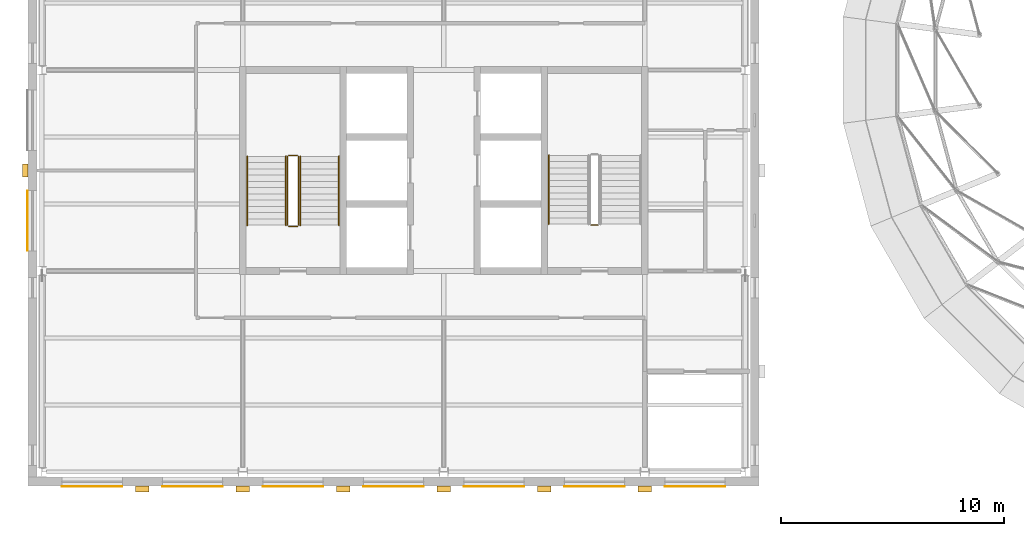
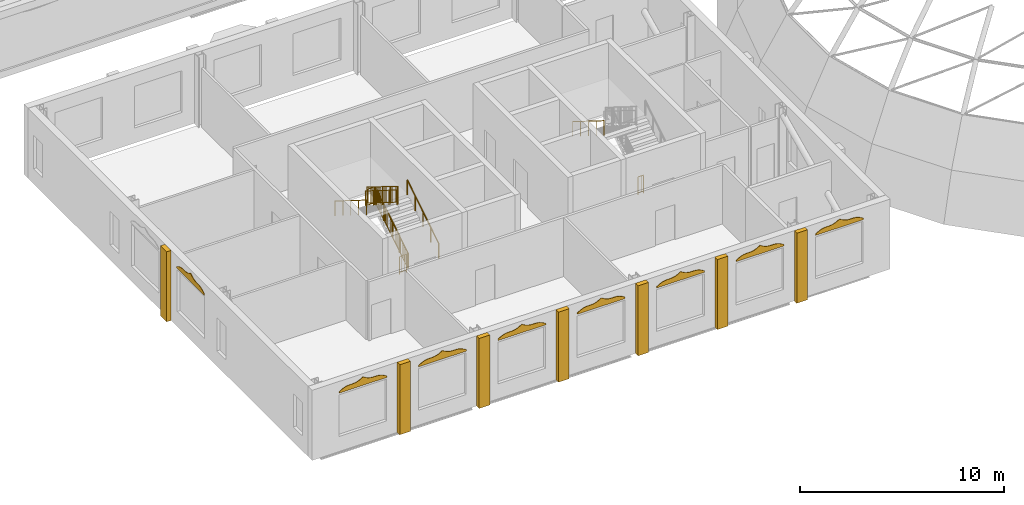
# One storey, part 58 of 62: 15 coverings, 10 railings.
"""IFC4 building model written with IfcOpenShell, lengths in metres."""

from ifc_helpers import new_model, si_unit, direction, frame, origin, origin_2d, place, context, subcontext, project, spatial, polyline, rectangle, circle, outline, extrude, material, layer, layer_set, type_object, element, save


model = new_model("IFC4")

# Units and contexts
model_context = context("Model", 3, precision=1e-05, world=origin(), true_north=direction((0.0, 1.0)))
body_context = subcontext(model_context, "Body", "Model", "MODEL_VIEW")
ifc_project = project(units=[si_unit("LENGTHUNIT", "METRE"), si_unit("AREAUNIT", "SQUARE_METRE"), si_unit("VOLUMEUNIT", "CUBIC_METRE"), si_unit("PLANEANGLEUNIT", "RADIAN"), si_unit("MASSUNIT", "GRAM", prefix="KILO")], contexts=[model_context])

# Site, building, storey
site_placement = place(None, origin())
site = spatial("IfcSite", under=ifc_project, at=site_placement, CompositionType="ELEMENT")
building_placement = place(site_placement, origin())
building = spatial("IfcBuilding", under=site, at=building_placement, Name="Hortulan Conservatory and Botanical Research Centre", CompositionType="ELEMENT")
storey_placement = place(building_placement, frame((0.0, 0.0, 15.0)))
storey = spatial("IfcBuildingStorey", under=building, at=storey_placement, Name="L03", CompositionType="ELEMENT", Elevation=15.0)

# Coverings
ifc_material_1 = material(Name="Faience cladding, cream glaze (non-combustible)", Category="ceramic")
ifc_layer_1 = layer(ifc_material_1, 0.030029296875)
ifc_layer_set_1 = layer_set([ifc_layer_1], Name="Faience Ogee Head Panel Cream 2700x500")
covering_type_1 = type_object("IfcCoveringType", Name="Faience Ogee Head Panel Cream 2700x500", PredefinedType="CLADDING", material=ifc_layer_set_1)
for number, where, z_axis, x_axis, name in (
    (1, (8.10009765625, -0.65087890625, 3.52001953125), (0.0, 0.0, 1.0), (-1.0, 0.0, 0.0), "Ogee head panel"),
    (2, (12.60009765625, -0.65087890625, 3.52001953125), (0.0, 0.0, 1.0), (-1.0, 0.0, 0.0), "Ogee head panel"),
    (3, (-0.639892578125, 9.89990234375, 3.52001953125), (0.0, 0.0, 1.0), (0.0, 1.0, 0.0), "Ogee head panel"),
):
    element("IfcCovering", number, at=place(storey_placement, frame(where, z_axis=z_axis, x_axis=x_axis)), inside=storey, type_object=covering_type_1, Name=name, PredefinedType="CLADDING", context=body_context, shape_type="SweptSolid", body=[
        extrude(outline(polyline([(0.0, 0.0), (2.699951171875, 0.0), (2.699951171875, 0.080078125), (2.58740234375, 0.148681640625), (2.47509765625, 0.208251953125), (2.362548828125, 0.252197265625), (2.25, 0.278076171875), (2.137451171875, 0.28857421875), (2.02490234375, 0.2900390625), (1.91259765625, 0.291259765625), (1.800048828125, 0.3017578125), (1.6875, 0.327880859375), (1.574951171875, 0.371826171875), (1.46240234375, 0.431396484375), (1.35009765625, 0.5), (1.237548828125, 0.431396484375), (1.125, 0.371826171875), (1.012451171875, 0.327880859375), (0.89990234375, 0.3017578125), (0.78759765625, 0.291259765625), (0.675048828125, 0.2900390625), (0.5625, 0.28857421875), (0.449951171875, 0.278076171875), (0.33740234375, 0.252197265625), (0.22509765625, 0.208251953125), (0.112548828125, 0.148681640625), (0.0, 0.080078125), (0.0, 0.0)])), frame((0.0, 0.01513671875, 0.0), z_axis=(0.0, -1.0, 0.0), x_axis=(1.0, 0.0, 0.0)), (0.0, 0.0, 1.0), 0.030029296875),
    ])
ifc_material_2 = material(Name="Faience cladding, waratah crimson glaze (non-combustible)", Category="ceramic")
ifc_layer_2 = layer(ifc_material_2, 0.030029296875)
ifc_layer_set_2 = layer_set([ifc_layer_2], Name="Faience Ogee Head Panel Crimson 2700x500")
covering_type_2 = type_object("IfcCoveringType", Name="Faience Ogee Head Panel Crimson 2700x500", PredefinedType="CLADDING", material=ifc_layer_set_2)
for number, where, z_axis, x_axis, name in (
    (4, (17.10009765625, -0.65087890625, 3.52001953125), (0.0, 0.0, 1.0), (-1.0, 0.0, 0.0), "Ogee head panel"),
    (5, (21.60009765625, -0.65087890625, 3.52001953125), (0.0, 0.0, 1.0), (-1.0, 0.0, 0.0), "Ogee head panel"),
):
    element("IfcCovering", number, at=place(storey_placement, frame(where, z_axis=z_axis, x_axis=x_axis)), inside=storey, type_object=covering_type_2, Name=name, PredefinedType="CLADDING", context=body_context, shape_type="SweptSolid", body=[
        extrude(outline(polyline([(0.0, 0.0), (2.699951171875, 0.0), (2.699951171875, 0.080078125), (2.58740234375, 0.148681640625), (2.47509765625, 0.208251953125), (2.362548828125, 0.252197265625), (2.25, 0.278076171875), (2.137451171875, 0.28857421875), (2.02490234375, 0.2900390625), (1.91259765625, 0.291259765625), (1.800048828125, 0.3017578125), (1.6875, 0.327880859375), (1.574951171875, 0.371826171875), (1.46240234375, 0.431396484375), (1.35009765625, 0.5), (1.237548828125, 0.431396484375), (1.125, 0.371826171875), (1.012451171875, 0.327880859375), (0.89990234375, 0.3017578125), (0.78759765625, 0.291259765625), (0.675048828125, 0.2900390625), (0.5625, 0.28857421875), (0.449951171875, 0.278076171875), (0.33740234375, 0.252197265625), (0.22509765625, 0.208251953125), (0.112548828125, 0.148681640625), (0.0, 0.080078125), (0.0, 0.0)])), frame((0.0, 0.01513671875, 0.0), z_axis=(0.0, -1.0, 0.0), x_axis=(1.0, 0.0, 0.0)), (0.0, 0.0, 1.0), 0.030029296875),
    ])
ifc_material_3 = material(Name="Faience cladding, harbour teal glaze (non-combustible)", Category="ceramic")
ifc_layer_3 = layer(ifc_material_3, 0.030029296875)
ifc_layer_set_3 = layer_set([ifc_layer_3], Name="Faience Ogee Head Panel Teal 2700x500")
covering_type_3 = type_object("IfcCoveringType", Name="Faience Ogee Head Panel Teal 2700x500", PredefinedType="CLADDING", material=ifc_layer_set_3)
for number, where, z_axis, x_axis, name in (
    (6, (3.60009765625, -0.65087890625, 3.52001953125), (0.0, 0.0, 1.0), (-1.0, 0.0, 0.0), "Ogee head panel"),
    (7, (26.10009765625, -0.65087890625, 3.52001953125), (0.0, 0.0, 1.0), (-1.0, 0.0, 0.0), "Ogee head panel"),
    (8, (30.60009765625, -0.65087890625, 3.52001953125), (0.0, 0.0, 1.0), (-1.0, 0.0, 0.0), "Ogee head panel"),
):
    element("IfcCovering", number, at=place(storey_placement, frame(where, z_axis=z_axis, x_axis=x_axis)), inside=storey, type_object=covering_type_3, Name=name, PredefinedType="CLADDING", context=body_context, shape_type="SweptSolid", body=[
        extrude(outline(polyline([(0.0, 0.0), (2.699951171875, 0.0), (2.699951171875, 0.080078125), (2.58740234375, 0.148681640625), (2.47509765625, 0.208251953125), (2.362548828125, 0.252197265625), (2.25, 0.278076171875), (2.137451171875, 0.28857421875), (2.02490234375, 0.2900390625), (1.91259765625, 0.291259765625), (1.800048828125, 0.3017578125), (1.6875, 0.327880859375), (1.574951171875, 0.371826171875), (1.46240234375, 0.431396484375), (1.35009765625, 0.5), (1.237548828125, 0.431396484375), (1.125, 0.371826171875), (1.012451171875, 0.327880859375), (0.89990234375, 0.3017578125), (0.78759765625, 0.291259765625), (0.675048828125, 0.2900390625), (0.5625, 0.28857421875), (0.449951171875, 0.278076171875), (0.33740234375, 0.252197265625), (0.22509765625, 0.208251953125), (0.112548828125, 0.148681640625), (0.0, 0.080078125), (0.0, 0.0)])), frame((0.0, 0.01513671875, 0.0), z_axis=(0.0, -1.0, 0.0), x_axis=(1.0, 0.0, 0.0)), (0.0, 0.0, 1.0), 0.030029296875),
    ])
ifc_layer_4 = layer(ifc_material_1, 0.25)
ifc_layer_set_4 = layer_set([ifc_layer_4], Name="Faience Pilaster 600x250")
covering_type_4 = type_object("IfcCoveringType", Name="Faience Pilaster 600x250", PredefinedType="CLADDING", material=ifc_layer_set_4)
for number, where, z_axis, x_axis, name in (
    (9, (27.0, -0.760986328125, 0.0), (0.0, 0.0, 1.0), (-1.0, 0.0, 0.0), "Pier"),
    (10, (22.5, -0.760986328125, 0.0), (0.0, 0.0, 1.0), (-1.0, 0.0, 0.0), "Pier"),
    (11, (18.0, -0.760986328125, 0.0), (0.0, 0.0, 1.0), (-1.0, 0.0, 0.0), "Pier"),
    (12, (13.5, -0.760986328125, 0.0), (0.0, 0.0, 1.0), (-1.0, 0.0, 0.0), "Pier"),
    (13, (9.0, -0.760986328125, 0.0), (0.0, 0.0, 1.0), (-1.0, 0.0, 0.0), "Pier"),
    (14, (4.5, -0.760986328125, 0.0), (0.0, 0.0, 1.0), (-1.0, 0.0, 0.0), "Pier"),
    (15, (-0.75, 13.5, 0.0), (0.0, 0.0, 1.0), (0.0, 1.0, 0.0), "Pier"),
):
    element("IfcCovering", number, at=place(storey_placement, frame(where, z_axis=z_axis, x_axis=x_axis)), inside=storey, type_object=covering_type_4, Name=name, PredefinedType="CLADDING", context=body_context, shape_type="SweptSolid", body=[
        extrude(rectangle(XDim=0.60009765625, YDim=0.25, at=origin_2d()), origin(), (0.0, 0.0, 1.0), 4.199951171875),
    ])

# Railings
ifc_material_4 = material(Name="Steel balustrade, bronze-charcoal paint", Category="steel")
railing_type_1 = type_object("IfcRailingType", Name="Stair Guard 1100", PredefinedType="GUARDRAIL", material=ifc_material_4)
railing_1_placement = place(storey_placement, frame((11.5, 11.050048828125, 0.175048828125)))
element("IfcRailing", 16, at=railing_1_placement, inside=storey, type_object=railing_type_1, Name="Guard T1 L03 stair 1", PredefinedType="GUARDRAIL", context=body_context, shape_type="SweptSolid", body=[
    extrude(circle(Radius=0.02392578125, at=origin_2d()), frame((0.0, 0.0, 1.076171875), z_axis=(0.0, 0.847979421464, 0.530029150871), x_axis=(-1.0, 0.0, 0.0)), (0.0, 0.0, 1.0), 3.632080078125),
    extrude(circle(Radius=0.02392578125, at=origin_2d()), frame((0.0, 0.0, 0.1240234375), z_axis=(0.0, 0.847979421464, 0.530029150871), x_axis=(-1.0, 0.0, 0.0)), (0.0, 0.0, 1.0), 3.632080078125),
    extrude(circle(Radius=0.008056640625, at=origin_2d()), frame((0.0, 0.090576171875, 0.204833984375)), (0.0, 0.0, 1.0), 0.90380859375),
    extrude(circle(Radius=0.008056640625, at=origin_2d()), frame((0.0, 0.18115234375, 0.261474609375)), (0.0, 0.0, 1.0), 0.90380859375),
    extrude(circle(Radius=0.008056640625, at=origin_2d()), frame((0.0, 0.271728515625, 0.318115234375)), (0.0, 0.0, 1.0), 0.90380859375),
    extrude(circle(Radius=0.008056640625, at=origin_2d()), frame((0.0, 0.3623046875, 0.374755859375)), (0.0, 0.0, 1.0), 0.90380859375),
    extrude(circle(Radius=0.008056640625, at=origin_2d()), frame((0.0, 0.452880859375, 0.431396484375)), (0.0, 0.0, 1.0), 0.90380859375),
    extrude(circle(Radius=0.008056640625, at=origin_2d()), frame((0.0, 0.54345703125, 0.48779296875)), (0.0, 0.0, 1.0), 0.90380859375),
    extrude(circle(Radius=0.008056640625, at=origin_2d()), frame((0.0, 0.634033203125, 0.54443359375)), (0.0, 0.0, 1.0), 0.90380859375),
    extrude(circle(Radius=0.008056640625, at=origin_2d()), frame((0.0, 0.724609375, 0.60107421875)), (0.0, 0.0, 1.0), 0.90380859375),
    extrude(circle(Radius=0.008056640625, at=origin_2d()), frame((0.0, 0.815185546875, 0.65771484375)), (0.0, 0.0, 1.0), 0.90380859375),
    extrude(circle(Radius=0.008056640625, at=origin_2d()), frame((0.0, 0.90576171875, 0.71435546875)), (0.0, 0.0, 1.0), 0.90380859375),
    extrude(circle(Radius=0.008056640625, at=origin_2d()), frame((0.0, 0.996337890625, 0.77099609375)), (0.0, 0.0, 1.0), 0.90380859375),
    extrude(circle(Radius=0.008056640625, at=origin_2d()), frame((0.0, 1.0869140625, 0.82763671875)), (0.0, 0.0, 1.0), 0.90380859375),
    extrude(circle(Radius=0.008056640625, at=origin_2d()), frame((0.0, 1.177490234375, 0.88427734375)), (0.0, 0.0, 1.0), 0.90380859375),
    extrude(circle(Radius=0.008056640625, at=origin_2d()), frame((0.0, 1.26806640625, 0.94091796875)), (0.0, 0.0, 1.0), 0.90380859375),
    extrude(circle(Radius=0.008056640625, at=origin_2d()), frame((0.0, 1.358642578125, 0.99755859375)), (0.0, 0.0, 1.0), 0.90380859375),
    extrude(circle(Radius=0.008056640625, at=origin_2d()), frame((0.0, 1.44921875, 1.05419921875)), (0.0, 0.0, 1.0), 0.90380859375),
    extrude(circle(Radius=0.008056640625, at=origin_2d()), frame((0.0, 1.5400390625, 1.11083984375)), (0.0, 0.0, 1.0), 0.90380859375),
    extrude(circle(Radius=0.008056640625, at=origin_2d()), frame((0.0, 1.630615234375, 1.167236328125)), (0.0, 0.0, 1.0), 0.90380859375),
    extrude(circle(Radius=0.008056640625, at=origin_2d()), frame((0.0, 1.72119140625, 1.223876953125)), (0.0, 0.0, 1.0), 0.90380859375),
    extrude(circle(Radius=0.008056640625, at=origin_2d()), frame((0.0, 1.811767578125, 1.280517578125)), (0.0, 0.0, 1.0), 0.90380859375),
    extrude(circle(Radius=0.008056640625, at=origin_2d()), frame((0.0, 1.90234375, 1.337158203125)), (0.0, 0.0, 1.0), 0.90380859375),
    extrude(circle(Radius=0.008056640625, at=origin_2d()), frame((0.0, 1.992919921875, 1.393798828125)), (0.0, 0.0, 1.0), 0.90380859375),
    extrude(circle(Radius=0.008056640625, at=origin_2d()), frame((0.0, 2.08349609375, 1.450439453125)), (0.0, 0.0, 1.0), 0.90380859375),
    extrude(circle(Radius=0.008056640625, at=origin_2d()), frame((0.0, 2.174072265625, 1.507080078125)), (0.0, 0.0, 1.0), 0.90380859375),
    extrude(circle(Radius=0.008056640625, at=origin_2d()), frame((0.0, 2.2646484375, 1.563720703125)), (0.0, 0.0, 1.0), 0.90380859375),
    extrude(circle(Radius=0.008056640625, at=origin_2d()), frame((0.0, 2.355224609375, 1.620361328125)), (0.0, 0.0, 1.0), 0.90380859375),
    extrude(circle(Radius=0.008056640625, at=origin_2d()), frame((0.0, 2.44580078125, 1.677001953125)), (0.0, 0.0, 1.0), 0.90380859375),
    extrude(circle(Radius=0.008056640625, at=origin_2d()), frame((0.0, 2.536376953125, 1.733642578125)), (0.0, 0.0, 1.0), 0.90380859375),
    extrude(circle(Radius=0.008056640625, at=origin_2d()), frame((0.0, 2.626953125, 1.7900390625)), (0.0, 0.0, 1.0), 0.90380859375),
    extrude(circle(Radius=0.008056640625, at=origin_2d()), frame((0.0, 2.717529296875, 1.8466796875)), (0.0, 0.0, 1.0), 0.90380859375),
    extrude(circle(Radius=0.008056640625, at=origin_2d()), frame((0.0, 2.80810546875, 1.9033203125)), (0.0, 0.0, 1.0), 0.90380859375),
    extrude(circle(Radius=0.008056640625, at=origin_2d()), frame((0.0, 2.898681640625, 1.9599609375)), (0.0, 0.0, 1.0), 0.90380859375),
    extrude(circle(Radius=0.008056640625, at=origin_2d()), frame((0.0, 2.9892578125, 2.0166015625)), (0.0, 0.0, 1.0), 0.90380859375),
    extrude(circle(Radius=0.02099609375, at=origin_2d()), origin(), (0.0, 0.0, 1.0), 1.052001953125),
    extrude(circle(Radius=0.02099609375, at=origin_2d()), frame((0.0, 0.77001953125, 0.481201171875)), (0.0, 0.0, 1.0), 1.052001953125),
    extrude(circle(Radius=0.02099609375, at=origin_2d()), frame((0.0, 1.5400390625, 0.96240234375)), (0.0, 0.0, 1.0), 1.052001953125),
    extrude(circle(Radius=0.02099609375, at=origin_2d()), frame((0.0, 2.309814453125, 1.44384765625)), (0.0, 0.0, 1.0), 1.052001953125),
    extrude(circle(Radius=0.02099609375, at=origin_2d()), frame((0.0, 3.079833984375, 1.925048828125)), (0.0, 0.0, 1.0), 1.052001953125),
])
railing_2_placement = place(storey_placement, frame((11.449951171875, 14.179931640625, 2.10009765625)))
element("IfcRailing", 17, at=railing_2_placement, inside=storey, type_object=railing_type_1, Name="Guard T1 L03 stair 2", PredefinedType="GUARDRAIL", context=body_context, shape_type="SweptSolid", body=[
    extrude(circle(Radius=0.02392578125, at=origin_2d()), frame((0.0, 0.0, 1.076171875), z_axis=(-1.0, 0.0, 0.0), x_axis=(0.0, -1.0, 0.0)), (0.0, 0.0, 1.0), 0.39990234375),
    extrude(circle(Radius=0.02392578125, at=origin_2d()), frame((0.0, 0.0, 0.1240234375), z_axis=(-1.0, 0.0, 0.0), x_axis=(0.0, -1.0, 0.0)), (0.0, 0.0, 1.0), 0.39990234375),
    extrude(circle(Radius=0.008056640625, at=origin_2d()), frame((-0.10009765625, 0.0, 0.148193359375)), (0.0, 0.0, 1.0), 0.90380859375),
    extrude(circle(Radius=0.008056640625, at=origin_2d()), frame((-0.199951171875, 0.0, 0.148193359375)), (0.0, 0.0, 1.0), 0.90380859375),
    extrude(circle(Radius=0.008056640625, at=origin_2d()), frame((-0.2998046875, 0.0, 0.148193359375)), (0.0, 0.0, 1.0), 0.90380859375),
    extrude(circle(Radius=0.02099609375, at=origin_2d()), origin(), (0.0, 0.0, 1.0), 1.052001953125),
    extrude(circle(Radius=0.02099609375, at=origin_2d()), frame((-0.39990234375, 0.0, 0.0)), (0.0, 0.0, 1.0), 1.052001953125),
])
railing_3_placement = place(storey_placement, frame((11.0, 14.1298828125, 2.27490234375)))
element("IfcRailing", 18, at=railing_3_placement, inside=storey, type_object=railing_type_1, Name="Guard T1 L03 stair 3", PredefinedType="GUARDRAIL", context=body_context, shape_type="SweptSolid", body=[
    extrude(circle(Radius=0.02392578125, at=origin_2d()), frame((0.0, 0.0, 1.076171875), z_axis=(0.0, -0.847979421464, 0.530029150871), x_axis=(1.0, 0.0, 0.0)), (0.0, 0.0, 1.0), 3.632080078125),
    extrude(circle(Radius=0.02392578125, at=origin_2d()), frame((0.0, 0.0, 0.1240234375), z_axis=(0.0, -0.847979421464, 0.530029150871), x_axis=(1.0, 0.0, 0.0)), (0.0, 0.0, 1.0), 3.632080078125),
    extrude(circle(Radius=0.008056640625, at=origin_2d()), frame((0.0, -0.090576171875, 0.204833984375)), (0.0, 0.0, 1.0), 0.90380859375),
    extrude(circle(Radius=0.008056640625, at=origin_2d()), frame((0.0, -0.18115234375, 0.261474609375)), (0.0, 0.0, 1.0), 0.90380859375),
    extrude(circle(Radius=0.008056640625, at=origin_2d()), frame((0.0, -0.271728515625, 0.318115234375)), (0.0, 0.0, 1.0), 0.90380859375),
    extrude(circle(Radius=0.008056640625, at=origin_2d()), frame((0.0, -0.3623046875, 0.374755859375)), (0.0, 0.0, 1.0), 0.90380859375),
    extrude(circle(Radius=0.008056640625, at=origin_2d()), frame((0.0, -0.452880859375, 0.431396484375)), (0.0, 0.0, 1.0), 0.90380859375),
    extrude(circle(Radius=0.008056640625, at=origin_2d()), frame((0.0, -0.54345703125, 0.48779296875)), (0.0, 0.0, 1.0), 0.90380859375),
    extrude(circle(Radius=0.008056640625, at=origin_2d()), frame((0.0, -0.634033203125, 0.54443359375)), (0.0, 0.0, 1.0), 0.90380859375),
    extrude(circle(Radius=0.008056640625, at=origin_2d()), frame((0.0, -0.724609375, 0.60107421875)), (0.0, 0.0, 1.0), 0.90380859375),
    extrude(circle(Radius=0.008056640625, at=origin_2d()), frame((0.0, -0.815185546875, 0.65771484375)), (0.0, 0.0, 1.0), 0.90380859375),
    extrude(circle(Radius=0.008056640625, at=origin_2d()), frame((0.0, -0.90576171875, 0.71435546875)), (0.0, 0.0, 1.0), 0.90380859375),
    extrude(circle(Radius=0.008056640625, at=origin_2d()), frame((0.0, -0.996337890625, 0.77099609375)), (0.0, 0.0, 1.0), 0.90380859375),
    extrude(circle(Radius=0.008056640625, at=origin_2d()), frame((0.0, -1.0869140625, 0.82763671875)), (0.0, 0.0, 1.0), 0.90380859375),
    extrude(circle(Radius=0.008056640625, at=origin_2d()), frame((0.0, -1.177490234375, 0.88427734375)), (0.0, 0.0, 1.0), 0.90380859375),
    extrude(circle(Radius=0.008056640625, at=origin_2d()), frame((0.0, -1.26806640625, 0.94091796875)), (0.0, 0.0, 1.0), 0.90380859375),
    extrude(circle(Radius=0.008056640625, at=origin_2d()), frame((0.0, -1.358642578125, 0.99755859375)), (0.0, 0.0, 1.0), 0.90380859375),
    extrude(circle(Radius=0.008056640625, at=origin_2d()), frame((0.0, -1.44921875, 1.05419921875)), (0.0, 0.0, 1.0), 0.90380859375),
    extrude(circle(Radius=0.008056640625, at=origin_2d()), frame((0.0, -1.5400390625, 1.11083984375)), (0.0, 0.0, 1.0), 0.90380859375),
    extrude(circle(Radius=0.008056640625, at=origin_2d()), frame((0.0, -1.630615234375, 1.167236328125)), (0.0, 0.0, 1.0), 0.90380859375),
    extrude(circle(Radius=0.008056640625, at=origin_2d()), frame((0.0, -1.72119140625, 1.223876953125)), (0.0, 0.0, 1.0), 0.90380859375),
    extrude(circle(Radius=0.008056640625, at=origin_2d()), frame((0.0, -1.811767578125, 1.280517578125)), (0.0, 0.0, 1.0), 0.90380859375),
    extrude(circle(Radius=0.008056640625, at=origin_2d()), frame((0.0, -1.90234375, 1.337158203125)), (0.0, 0.0, 1.0), 0.90380859375),
    extrude(circle(Radius=0.008056640625, at=origin_2d()), frame((0.0, -1.992919921875, 1.393798828125)), (0.0, 0.0, 1.0), 0.90380859375),
    extrude(circle(Radius=0.008056640625, at=origin_2d()), frame((0.0, -2.08349609375, 1.450439453125)), (0.0, 0.0, 1.0), 0.90380859375),
    extrude(circle(Radius=0.008056640625, at=origin_2d()), frame((0.0, -2.174072265625, 1.507080078125)), (0.0, 0.0, 1.0), 0.90380859375),
    extrude(circle(Radius=0.008056640625, at=origin_2d()), frame((0.0, -2.2646484375, 1.563720703125)), (0.0, 0.0, 1.0), 0.90380859375),
    extrude(circle(Radius=0.008056640625, at=origin_2d()), frame((0.0, -2.355224609375, 1.620361328125)), (0.0, 0.0, 1.0), 0.90380859375),
    extrude(circle(Radius=0.008056640625, at=origin_2d()), frame((0.0, -2.44580078125, 1.677001953125)), (0.0, 0.0, 1.0), 0.90380859375),
    extrude(circle(Radius=0.008056640625, at=origin_2d()), frame((0.0, -2.536376953125, 1.733642578125)), (0.0, 0.0, 1.0), 0.90380859375),
    extrude(circle(Radius=0.008056640625, at=origin_2d()), frame((0.0, -2.626953125, 1.7900390625)), (0.0, 0.0, 1.0), 0.90380859375),
    extrude(circle(Radius=0.008056640625, at=origin_2d()), frame((0.0, -2.717529296875, 1.8466796875)), (0.0, 0.0, 1.0), 0.90380859375),
    extrude(circle(Radius=0.008056640625, at=origin_2d()), frame((0.0, -2.80810546875, 1.9033203125)), (0.0, 0.0, 1.0), 0.90380859375),
    extrude(circle(Radius=0.008056640625, at=origin_2d()), frame((0.0, -2.898681640625, 1.9599609375)), (0.0, 0.0, 1.0), 0.90380859375),
    extrude(circle(Radius=0.008056640625, at=origin_2d()), frame((0.0, -2.9892578125, 2.0166015625)), (0.0, 0.0, 1.0), 0.90380859375),
    extrude(circle(Radius=0.02099609375, at=origin_2d()), origin(), (0.0, 0.0, 1.0), 1.052001953125),
    extrude(circle(Radius=0.02099609375, at=origin_2d()), frame((0.0, -0.77001953125, 0.481201171875)), (0.0, 0.0, 1.0), 1.052001953125),
    extrude(circle(Radius=0.02099609375, at=origin_2d()), frame((0.0, -1.5400390625, 0.96240234375)), (0.0, 0.0, 1.0), 1.052001953125),
    extrude(circle(Radius=0.02099609375, at=origin_2d()), frame((0.0, -2.309814453125, 1.44384765625)), (0.0, 0.0, 1.0), 1.052001953125),
    extrude(circle(Radius=0.02099609375, at=origin_2d()), frame((0.0, -3.079833984375, 1.925048828125)), (0.0, 0.0, 1.0), 1.052001953125),
])
railing_4_placement = place(storey_placement, frame((11.449951171875, 11.0, 0.0)))
element("IfcRailing", 19, at=railing_4_placement, inside=storey, type_object=railing_type_1, Name="Guard T1 L03 stair 4", PredefinedType="GUARDRAIL", context=body_context, shape_type="SweptSolid", body=[
    extrude(circle(Radius=0.02392578125, at=origin_2d()), frame((0.0, 0.0, 1.076171875), z_axis=(-1.0, 0.0, 0.0), x_axis=(0.0, -1.0, 0.0)), (0.0, 0.0, 1.0), 0.39990234375),
    extrude(circle(Radius=0.02392578125, at=origin_2d()), frame((0.0, 0.0, 0.1240234375), z_axis=(-1.0, 0.0, 0.0), x_axis=(0.0, -1.0, 0.0)), (0.0, 0.0, 1.0), 0.39990234375),
    extrude(circle(Radius=0.008056640625, at=origin_2d()), frame((-0.10009765625, 0.0, 0.148193359375)), (0.0, 0.0, 1.0), 0.90380859375),
    extrude(circle(Radius=0.008056640625, at=origin_2d()), frame((-0.199951171875, 0.0, 0.148193359375)), (0.0, 0.0, 1.0), 0.90380859375),
    extrude(circle(Radius=0.008056640625, at=origin_2d()), frame((-0.2998046875, 0.0, 0.148193359375)), (0.0, 0.0, 1.0), 0.90380859375),
    extrude(circle(Radius=0.02099609375, at=origin_2d()), origin(), (0.0, 0.0, 1.0), 1.052001953125),
    extrude(circle(Radius=0.02099609375, at=origin_2d()), frame((-0.39990234375, 0.0, 0.0)), (0.0, 0.0, 1.0), 1.052001953125),
])
railing_5_placement = place(storey_placement, frame((24.89990234375, 11.050048828125, 0.0)))
element("IfcRailing", 20, at=railing_5_placement, inside=storey, type_object=railing_type_1, Name="Guard T2 L03 stair 4", PredefinedType="GUARDRAIL", context=body_context, shape_type="SweptSolid", body=[
    extrude(circle(Radius=0.02392578125, at=origin_2d()), frame((0.0, 0.0, 1.076171875), z_axis=(-1.0, 0.0, 0.0), x_axis=(0.0, -1.0, 0.0)), (0.0, 0.0, 1.0), 0.2998046875),
    extrude(circle(Radius=0.02392578125, at=origin_2d()), frame((0.0, 0.0, 0.1240234375), z_axis=(-1.0, 0.0, 0.0), x_axis=(0.0, -1.0, 0.0)), (0.0, 0.0, 1.0), 0.2998046875),
    extrude(circle(Radius=0.008056640625, at=origin_2d()), frame((-0.099853515625, 0.0, 0.148193359375)), (0.0, 0.0, 1.0), 0.90380859375),
    extrude(circle(Radius=0.008056640625, at=origin_2d()), frame((-0.199951171875, 0.0, 0.148193359375)), (0.0, 0.0, 1.0), 0.90380859375),
    extrude(circle(Radius=0.02099609375, at=origin_2d()), origin(), (0.0, 0.0, 1.0), 1.052001953125),
    extrude(circle(Radius=0.02099609375, at=origin_2d()), frame((-0.2998046875, 0.0, 0.0)), (0.0, 0.0, 1.0), 1.052001953125),
])
ifc_material_5 = material(Name="Bronze handrail, polished", Category="metal")
railing_type_2 = type_object("IfcRailingType", Name="Stair Handrail 900", PredefinedType="HANDRAIL", material=ifc_material_5)
railing_6_placement = place(storey_placement, frame((13.300048828125, 11.050048828125, 0.175048828125)))
element("IfcRailing", 21, at=railing_6_placement, inside=storey, type_object=railing_type_2, Name="Handrail T1 L03 stair 1", PredefinedType="HANDRAIL", context=body_context, shape_type="SweptSolid", body=[
    extrude(circle(Radius=0.02392578125, at=origin_2d()), frame((0.0, 0.0, 0.8759765625), z_axis=(0.0, 0.847979421464, 0.530029150871), x_axis=(-1.0, 0.0, 0.0)), (0.0, 0.0, 1.0), 3.632080078125),
    extrude(circle(Radius=0.02099609375, at=origin_2d()), origin(), (0.0, 0.0, 1.0), 0.851806640625),
    extrude(circle(Radius=0.02099609375, at=origin_2d()), frame((0.0, 0.77001953125, 0.481201171875)), (0.0, 0.0, 1.0), 0.851806640625),
    extrude(circle(Radius=0.02099609375, at=origin_2d()), frame((0.0, 1.5400390625, 0.96240234375)), (0.0, 0.0, 1.0), 0.851806640625),
    extrude(circle(Radius=0.02099609375, at=origin_2d()), frame((0.0, 2.309814453125, 1.44384765625)), (0.0, 0.0, 1.0), 0.851806640625),
    extrude(circle(Radius=0.02099609375, at=origin_2d()), frame((0.0, 3.079833984375, 1.925048828125)), (0.0, 0.0, 1.0), 0.851806640625),
])
railing_7_placement = place(storey_placement, frame((9.199951171875, 14.1298828125, 2.27490234375)))
element("IfcRailing", 22, at=railing_7_placement, inside=storey, type_object=railing_type_2, Name="Handrail T1 L03 stair 2", PredefinedType="HANDRAIL", context=body_context, shape_type="SweptSolid", body=[
    extrude(circle(Radius=0.02392578125, at=origin_2d()), frame((0.0, 0.0, 0.8759765625), z_axis=(0.0, -0.847979421464, 0.530029150871), x_axis=(1.0, 0.0, 0.0)), (0.0, 0.0, 1.0), 3.632080078125),
    extrude(circle(Radius=0.02099609375, at=origin_2d()), origin(), (0.0, 0.0, 1.0), 0.851806640625),
    extrude(circle(Radius=0.02099609375, at=origin_2d()), frame((0.0, -0.77001953125, 0.481201171875)), (0.0, 0.0, 1.0), 0.851806640625),
    extrude(circle(Radius=0.02099609375, at=origin_2d()), frame((0.0, -1.5400390625, 0.96240234375)), (0.0, 0.0, 1.0), 0.851806640625),
    extrude(circle(Radius=0.02099609375, at=origin_2d()), frame((0.0, -2.309814453125, 1.44384765625)), (0.0, 0.0, 1.0), 0.851806640625),
    extrude(circle(Radius=0.02099609375, at=origin_2d()), frame((0.0, -3.079833984375, 1.925048828125)), (0.0, 0.0, 1.0), 0.851806640625),
])
railing_8_placement = place(storey_placement, frame((11.570068359375, 11.050048828125, 0.175048828125)))
element("IfcRailing", 23, at=railing_8_placement, inside=storey, type_object=railing_type_2, Name="Handrail T1 L03 stair 3", PredefinedType="HANDRAIL", context=body_context, shape_type="SweptSolid", body=[
    extrude(circle(Radius=0.02392578125, at=origin_2d()), frame((0.0, 0.0, 0.8759765625), z_axis=(0.0, 0.847979421464, 0.530029150871), x_axis=(-1.0, 0.0, 0.0)), (0.0, 0.0, 1.0), 3.632080078125),
    extrude(circle(Radius=0.02099609375, at=origin_2d()), origin(), (0.0, 0.0, 1.0), 0.851806640625),
    extrude(circle(Radius=0.02099609375, at=origin_2d()), frame((0.0, 0.77001953125, 0.481201171875)), (0.0, 0.0, 1.0), 0.851806640625),
    extrude(circle(Radius=0.02099609375, at=origin_2d()), frame((0.0, 1.5400390625, 0.96240234375)), (0.0, 0.0, 1.0), 0.851806640625),
    extrude(circle(Radius=0.02099609375, at=origin_2d()), frame((0.0, 2.309814453125, 1.44384765625)), (0.0, 0.0, 1.0), 0.851806640625),
    extrude(circle(Radius=0.02099609375, at=origin_2d()), frame((0.0, 3.079833984375, 1.925048828125)), (0.0, 0.0, 1.0), 0.851806640625),
])
for number, where, name in (
    (24, (10.929931640625, 14.1298828125, 2.27490234375), "Handrail T1 L03 stair 4"),
    (25, (22.699951171875, 14.179931640625, 2.27490234375), "Handrail T2 L03 stair 2"),
):
    element("IfcRailing", number, at=place(storey_placement, frame(where)), inside=storey, type_object=railing_type_2, Name=name, PredefinedType="HANDRAIL", context=body_context, shape_type="SweptSolid", body=[
        extrude(circle(Radius=0.02392578125, at=origin_2d()), frame((0.0, 0.0, 0.8759765625), z_axis=(0.0, -0.847979421464, 0.530029150871), x_axis=(1.0, 0.0, 0.0)), (0.0, 0.0, 1.0), 3.632080078125),
        extrude(circle(Radius=0.02099609375, at=origin_2d()), origin(), (0.0, 0.0, 1.0), 0.851806640625),
        extrude(circle(Radius=0.02099609375, at=origin_2d()), frame((0.0, -0.77001953125, 0.481201171875)), (0.0, 0.0, 1.0), 0.851806640625),
        extrude(circle(Radius=0.02099609375, at=origin_2d()), frame((0.0, -1.5400390625, 0.96240234375)), (0.0, 0.0, 1.0), 0.851806640625),
        extrude(circle(Radius=0.02099609375, at=origin_2d()), frame((0.0, -2.309814453125, 1.44384765625)), (0.0, 0.0, 1.0), 0.851806640625),
        extrude(circle(Radius=0.02099609375, at=origin_2d()), frame((0.0, -3.079833984375, 1.925048828125)), (0.0, 0.0, 1.0), 0.851806640625),
    ])

save(model, "model.ifc")
